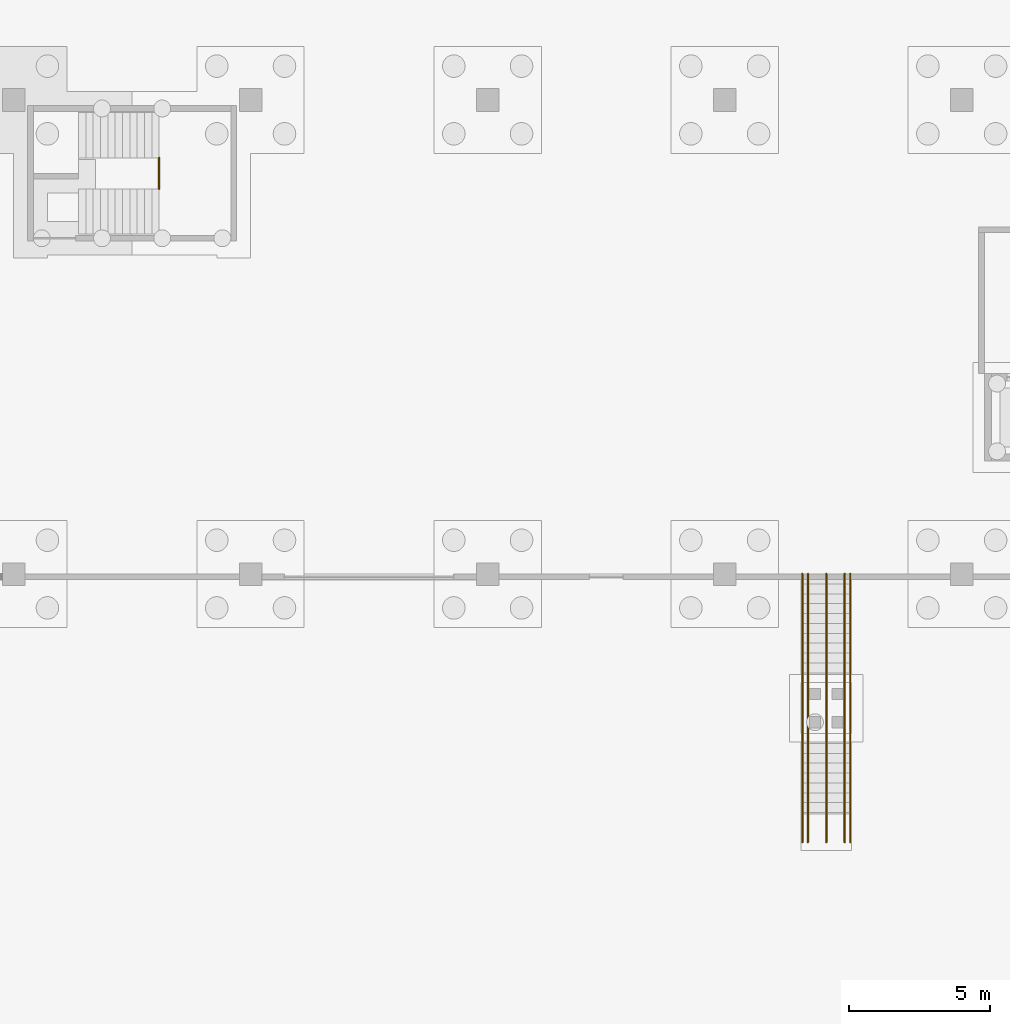
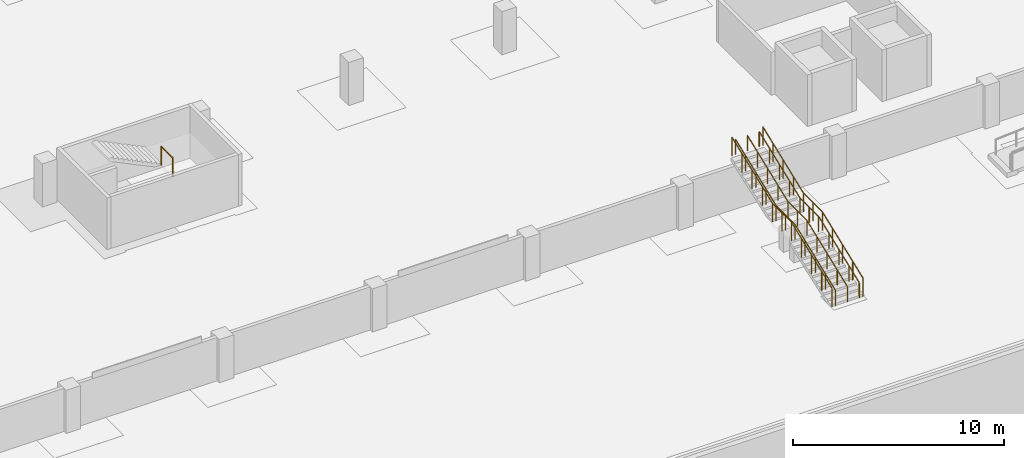
# One storey, part 54 of 67: 6 railings.
"""IFC4 building model written with IfcOpenShell, lengths in metres."""

from ifc_helpers import new_model, si_unit, direction, frame, origin, origin_2d, place, context, subcontext, project, spatial, circle, extrude, material, type_object, element, save


model = new_model("IFC4")

# Units and contexts
model_context = context("Model", 3, precision=1e-05, world=origin(), true_north=direction((0.0, 1.0)))
body_context = subcontext(model_context, "Body", "Model", "MODEL_VIEW")
ifc_project = project(units=[si_unit("LENGTHUNIT", "METRE"), si_unit("AREAUNIT", "SQUARE_METRE"), si_unit("VOLUMEUNIT", "CUBIC_METRE"), si_unit("PLANEANGLEUNIT", "RADIAN"), si_unit("MASSUNIT", "GRAM", prefix="KILO")], contexts=[model_context])

# Site, building, storey
site_placement = place(None, origin())
site = spatial("IfcSite", under=ifc_project, at=site_placement, CompositionType="ELEMENT")
building_placement = place(site_placement, origin())
building = spatial("IfcBuilding", under=site, at=building_placement, Name="Rain Tree Exposition and Congress Centre", CompositionType="ELEMENT")
storey_placement = place(building_placement, frame((0.0, 0.0, -3.0)))
storey = spatial("IfcBuildingStorey", under=building, at=storey_placement, Name="B1", CompositionType="ELEMENT", Elevation=-3.0)

# Railings
ifc_material_1 = material(Name="Stainless steel", Category="steel")
railing_type_1 = type_object("IfcRailingType", Name="Guard 1100 stainless", PredefinedType="GUARDRAIL", material=ifc_material_1)
railing_1_placement = place(storey_placement, frame((95.14990234375, -9.5, 0.0)))
element("IfcRailing", 1, at=railing_1_placement, inside=storey, type_object=railing_type_1, Name="Stair guard west", PredefinedType="GUARDRAIL", context=body_context, shape_type="SweptSolid", body=[
    extrude(circle(Radius=0.02490234375, at=origin_2d()), frame((0.0, 0.0, 1.0751953125), z_axis=(0.0, 0.931780506731, 0.363022158107), x_axis=(-1.0, 0.0, 0.0)), (0.0, 0.0, 1.0), 4.132080078125),
    extrude(circle(Radius=0.02490234375, at=origin_2d()), frame((0.0, 3.85009765625, 2.5751953125), z_axis=(0.0, 1.0, 0.0), x_axis=(-1.0, 0.0, 0.0)), (0.0, 0.0, 1.0), 1.7998046875),
    extrude(circle(Radius=0.02490234375, at=origin_2d()), frame((0.0, 5.64990234375, 2.5751953125), z_axis=(0.0, 0.931780506731, 0.363022158107), x_axis=(-1.0, 0.0, 0.0)), (0.0, 0.0, 1.0), 4.132080078125),
    extrude(circle(Radius=0.02490234375, at=origin_2d()), origin(), (0.0, 0.0, 1.0), 1.050048828125),
    extrude(circle(Radius=0.02490234375, at=origin_2d()), frame((0.0, 0.96240234375, 0.375)), (0.0, 0.0, 1.0), 1.050048828125),
    extrude(circle(Radius=0.02490234375, at=origin_2d()), frame((0.0, 1.925048828125, 0.75)), (0.0, 0.0, 1.0), 1.050048828125),
    extrude(circle(Radius=0.02490234375, at=origin_2d()), frame((0.0, 2.8876953125, 1.125)), (0.0, 0.0, 1.0), 1.050048828125),
    extrude(circle(Radius=0.02490234375, at=origin_2d()), frame((0.0, 3.85009765625, 1.5)), (0.0, 0.0, 1.0), 1.050048828125),
    extrude(circle(Radius=0.02490234375, at=origin_2d()), frame((0.0, 4.75, 1.5)), (0.0, 0.0, 1.0), 1.050048828125),
    extrude(circle(Radius=0.02490234375, at=origin_2d()), frame((0.0, 5.64990234375, 1.5)), (0.0, 0.0, 1.0), 1.050048828125),
    extrude(circle(Radius=0.02490234375, at=origin_2d()), frame((0.0, 6.6123046875, 1.875)), (0.0, 0.0, 1.0), 1.050048828125),
    extrude(circle(Radius=0.02490234375, at=origin_2d()), frame((0.0, 7.574951171875, 2.25)), (0.0, 0.0, 1.0), 1.050048828125),
    extrude(circle(Radius=0.02490234375, at=origin_2d()), frame((0.0, 8.53759765625, 2.625)), (0.0, 0.0, 1.0), 1.050048828125),
    extrude(circle(Radius=0.02490234375, at=origin_2d()), frame((0.0, 9.5, 3.0)), (0.0, 0.0, 1.0), 1.050048828125),
])
railing_2_placement = place(storey_placement, frame((96.85009765625, -9.5, 0.0)))
element("IfcRailing", 2, at=railing_2_placement, inside=storey, type_object=railing_type_1, Name="Stair guard east", PredefinedType="GUARDRAIL", context=body_context, shape_type="SweptSolid", body=[
    extrude(circle(Radius=0.02490234375, at=origin_2d()), frame((0.0, 0.0, 1.0751953125), z_axis=(0.0, 0.931780506731, 0.363022158107), x_axis=(-1.0, 0.0, 0.0)), (0.0, 0.0, 1.0), 4.132080078125),
    extrude(circle(Radius=0.02490234375, at=origin_2d()), frame((0.0, 3.85009765625, 2.5751953125), z_axis=(0.0, 1.0, 0.0), x_axis=(-1.0, 0.0, 0.0)), (0.0, 0.0, 1.0), 1.7998046875),
    extrude(circle(Radius=0.02490234375, at=origin_2d()), frame((0.0, 5.64990234375, 2.5751953125), z_axis=(0.0, 0.931780506731, 0.363022158107), x_axis=(-1.0, 0.0, 0.0)), (0.0, 0.0, 1.0), 4.132080078125),
    extrude(circle(Radius=0.02490234375, at=origin_2d()), origin(), (0.0, 0.0, 1.0), 1.050048828125),
    extrude(circle(Radius=0.02490234375, at=origin_2d()), frame((0.0, 0.96240234375, 0.375)), (0.0, 0.0, 1.0), 1.050048828125),
    extrude(circle(Radius=0.02490234375, at=origin_2d()), frame((0.0, 1.925048828125, 0.75)), (0.0, 0.0, 1.0), 1.050048828125),
    extrude(circle(Radius=0.02490234375, at=origin_2d()), frame((0.0, 2.8876953125, 1.125)), (0.0, 0.0, 1.0), 1.050048828125),
    extrude(circle(Radius=0.02490234375, at=origin_2d()), frame((0.0, 3.85009765625, 1.5)), (0.0, 0.0, 1.0), 1.050048828125),
    extrude(circle(Radius=0.02490234375, at=origin_2d()), frame((0.0, 4.75, 1.5)), (0.0, 0.0, 1.0), 1.050048828125),
    extrude(circle(Radius=0.02490234375, at=origin_2d()), frame((0.0, 5.64990234375, 1.5)), (0.0, 0.0, 1.0), 1.050048828125),
    extrude(circle(Radius=0.02490234375, at=origin_2d()), frame((0.0, 6.6123046875, 1.875)), (0.0, 0.0, 1.0), 1.050048828125),
    extrude(circle(Radius=0.02490234375, at=origin_2d()), frame((0.0, 7.574951171875, 2.25)), (0.0, 0.0, 1.0), 1.050048828125),
    extrude(circle(Radius=0.02490234375, at=origin_2d()), frame((0.0, 8.53759765625, 2.625)), (0.0, 0.0, 1.0), 1.050048828125),
    extrude(circle(Radius=0.02490234375, at=origin_2d()), frame((0.0, 9.5, 3.0)), (0.0, 0.0, 1.0), 1.050048828125),
])
railing_3_placement = place(storey_placement, frame((72.360107421875, 13.64990234375, 1.5)))
element("IfcRailing", 3, at=railing_3_placement, inside=storey, type_object=railing_type_1, Name="Exit stair E1 well guard", PredefinedType="GUARDRAIL", context=body_context, shape_type="SweptSolid", body=[
    extrude(circle(Radius=0.02490234375, at=origin_2d()), frame((0.0, 0.0, 1.0751953125), z_axis=(0.0, 1.0, 0.0), x_axis=(-1.0, 0.0, 0.0)), (0.0, 0.0, 1.0), 1.10009765625),
    extrude(circle(Radius=0.02490234375, at=origin_2d()), origin(), (0.0, 0.0, 1.0), 1.050048828125),
    extrude(circle(Radius=0.02490234375, at=origin_2d()), frame((0.0, 1.10009765625, 0.0)), (0.0, 0.0, 1.0), 1.050048828125),
])
ifc_material_2 = material(Name="Stainless steel", Category="steel")
railing_type_2 = type_object("IfcRailingType", Name="Handrail 900 stainless", PredefinedType="HANDRAIL", material=ifc_material_2)
railing_4_placement = place(storey_placement, frame((95.35009765625, -9.5, 0.0)))
element("IfcRailing", 4, at=railing_4_placement, inside=storey, type_object=railing_type_2, Name="Stair handrail west", PredefinedType="HANDRAIL", context=body_context, shape_type="SweptSolid", body=[
    extrude(circle(Radius=0.02490234375, at=origin_2d()), frame((0.0, 0.0, 0.875), z_axis=(0.0, 0.931780506731, 0.363022158107), x_axis=(-1.0, 0.0, 0.0)), (0.0, 0.0, 1.0), 4.132080078125),
    extrude(circle(Radius=0.02490234375, at=origin_2d()), frame((0.0, 3.85009765625, 2.375), z_axis=(0.0, 1.0, 0.0), x_axis=(-1.0, 0.0, 0.0)), (0.0, 0.0, 1.0), 1.7998046875),
    extrude(circle(Radius=0.02490234375, at=origin_2d()), frame((0.0, 5.64990234375, 2.375), z_axis=(0.0, 0.931780506731, 0.363022158107), x_axis=(-1.0, 0.0, 0.0)), (0.0, 0.0, 1.0), 4.132080078125),
    extrude(circle(Radius=0.02490234375, at=origin_2d()), origin(), (0.0, 0.0, 1.0), 0.849853515625),
    extrude(circle(Radius=0.02490234375, at=origin_2d()), frame((0.0, 0.96240234375, 0.375)), (0.0, 0.0, 1.0), 0.849853515625),
    extrude(circle(Radius=0.02490234375, at=origin_2d()), frame((0.0, 1.925048828125, 0.75)), (0.0, 0.0, 1.0), 0.849853515625),
    extrude(circle(Radius=0.02490234375, at=origin_2d()), frame((0.0, 2.8876953125, 1.125)), (0.0, 0.0, 1.0), 0.849853515625),
    extrude(circle(Radius=0.02490234375, at=origin_2d()), frame((0.0, 3.85009765625, 1.5)), (0.0, 0.0, 1.0), 0.849853515625),
    extrude(circle(Radius=0.02490234375, at=origin_2d()), frame((0.0, 4.75, 1.5)), (0.0, 0.0, 1.0), 0.849853515625),
    extrude(circle(Radius=0.02490234375, at=origin_2d()), frame((0.0, 5.64990234375, 1.5)), (0.0, 0.0, 1.0), 0.849853515625),
    extrude(circle(Radius=0.02490234375, at=origin_2d()), frame((0.0, 6.6123046875, 1.875)), (0.0, 0.0, 1.0), 0.849853515625),
    extrude(circle(Radius=0.02490234375, at=origin_2d()), frame((0.0, 7.574951171875, 2.25)), (0.0, 0.0, 1.0), 0.849853515625),
    extrude(circle(Radius=0.02490234375, at=origin_2d()), frame((0.0, 8.53759765625, 2.625)), (0.0, 0.0, 1.0), 0.849853515625),
    extrude(circle(Radius=0.02490234375, at=origin_2d()), frame((0.0, 9.5, 3.0)), (0.0, 0.0, 1.0), 0.849853515625),
])
railing_5_placement = place(storey_placement, frame((96.64990234375, -9.5, 0.0)))
element("IfcRailing", 5, at=railing_5_placement, inside=storey, type_object=railing_type_2, Name="Stair handrail east", PredefinedType="HANDRAIL", context=body_context, shape_type="SweptSolid", body=[
    extrude(circle(Radius=0.02490234375, at=origin_2d()), frame((0.0, 0.0, 0.875), z_axis=(0.0, 0.931780506731, 0.363022158107), x_axis=(-1.0, 0.0, 0.0)), (0.0, 0.0, 1.0), 4.132080078125),
    extrude(circle(Radius=0.02490234375, at=origin_2d()), frame((0.0, 3.85009765625, 2.375), z_axis=(0.0, 1.0, 0.0), x_axis=(-1.0, 0.0, 0.0)), (0.0, 0.0, 1.0), 1.7998046875),
    extrude(circle(Radius=0.02490234375, at=origin_2d()), frame((0.0, 5.64990234375, 2.375), z_axis=(0.0, 0.931780506731, 0.363022158107), x_axis=(-1.0, 0.0, 0.0)), (0.0, 0.0, 1.0), 4.132080078125),
    extrude(circle(Radius=0.02490234375, at=origin_2d()), origin(), (0.0, 0.0, 1.0), 0.849853515625),
    extrude(circle(Radius=0.02490234375, at=origin_2d()), frame((0.0, 0.96240234375, 0.375)), (0.0, 0.0, 1.0), 0.849853515625),
    extrude(circle(Radius=0.02490234375, at=origin_2d()), frame((0.0, 1.925048828125, 0.75)), (0.0, 0.0, 1.0), 0.849853515625),
    extrude(circle(Radius=0.02490234375, at=origin_2d()), frame((0.0, 2.8876953125, 1.125)), (0.0, 0.0, 1.0), 0.849853515625),
    extrude(circle(Radius=0.02490234375, at=origin_2d()), frame((0.0, 3.85009765625, 1.5)), (0.0, 0.0, 1.0), 0.849853515625),
    extrude(circle(Radius=0.02490234375, at=origin_2d()), frame((0.0, 4.75, 1.5)), (0.0, 0.0, 1.0), 0.849853515625),
    extrude(circle(Radius=0.02490234375, at=origin_2d()), frame((0.0, 5.64990234375, 1.5)), (0.0, 0.0, 1.0), 0.849853515625),
    extrude(circle(Radius=0.02490234375, at=origin_2d()), frame((0.0, 6.6123046875, 1.875)), (0.0, 0.0, 1.0), 0.849853515625),
    extrude(circle(Radius=0.02490234375, at=origin_2d()), frame((0.0, 7.574951171875, 2.25)), (0.0, 0.0, 1.0), 0.849853515625),
    extrude(circle(Radius=0.02490234375, at=origin_2d()), frame((0.0, 8.53759765625, 2.625)), (0.0, 0.0, 1.0), 0.849853515625),
    extrude(circle(Radius=0.02490234375, at=origin_2d()), frame((0.0, 9.5, 3.0)), (0.0, 0.0, 1.0), 0.849853515625),
])
railing_6_placement = place(storey_placement, frame((96.0, -9.5, 0.0)))
element("IfcRailing", 6, at=railing_6_placement, inside=storey, type_object=railing_type_2, Name="Stair handrail centre", PredefinedType="HANDRAIL", context=body_context, shape_type="SweptSolid", body=[
    extrude(circle(Radius=0.02490234375, at=origin_2d()), frame((0.0, 0.0, 0.875), z_axis=(0.0, 0.931780506731, 0.363022158107), x_axis=(-1.0, 0.0, 0.0)), (0.0, 0.0, 1.0), 4.132080078125),
    extrude(circle(Radius=0.02490234375, at=origin_2d()), frame((0.0, 3.85009765625, 2.375), z_axis=(0.0, 1.0, 0.0), x_axis=(-1.0, 0.0, 0.0)), (0.0, 0.0, 1.0), 1.7998046875),
    extrude(circle(Radius=0.02490234375, at=origin_2d()), frame((0.0, 5.64990234375, 2.375), z_axis=(0.0, 0.931780506731, 0.363022158107), x_axis=(-1.0, 0.0, 0.0)), (0.0, 0.0, 1.0), 4.132080078125),
    extrude(circle(Radius=0.02490234375, at=origin_2d()), origin(), (0.0, 0.0, 1.0), 0.849853515625),
    extrude(circle(Radius=0.02490234375, at=origin_2d()), frame((0.0, 0.96240234375, 0.375)), (0.0, 0.0, 1.0), 0.849853515625),
    extrude(circle(Radius=0.02490234375, at=origin_2d()), frame((0.0, 1.925048828125, 0.75)), (0.0, 0.0, 1.0), 0.849853515625),
    extrude(circle(Radius=0.02490234375, at=origin_2d()), frame((0.0, 2.8876953125, 1.125)), (0.0, 0.0, 1.0), 0.849853515625),
    extrude(circle(Radius=0.02490234375, at=origin_2d()), frame((0.0, 3.85009765625, 1.5)), (0.0, 0.0, 1.0), 0.849853515625),
    extrude(circle(Radius=0.02490234375, at=origin_2d()), frame((0.0, 4.75, 1.5)), (0.0, 0.0, 1.0), 0.849853515625),
    extrude(circle(Radius=0.02490234375, at=origin_2d()), frame((0.0, 5.64990234375, 1.5)), (0.0, 0.0, 1.0), 0.849853515625),
    extrude(circle(Radius=0.02490234375, at=origin_2d()), frame((0.0, 6.6123046875, 1.875)), (0.0, 0.0, 1.0), 0.849853515625),
    extrude(circle(Radius=0.02490234375, at=origin_2d()), frame((0.0, 7.574951171875, 2.25)), (0.0, 0.0, 1.0), 0.849853515625),
    extrude(circle(Radius=0.02490234375, at=origin_2d()), frame((0.0, 8.53759765625, 2.625)), (0.0, 0.0, 1.0), 0.849853515625),
    extrude(circle(Radius=0.02490234375, at=origin_2d()), frame((0.0, 9.5, 3.0)), (0.0, 0.0, 1.0), 0.849853515625),
])

save(model, "model.ifc")
